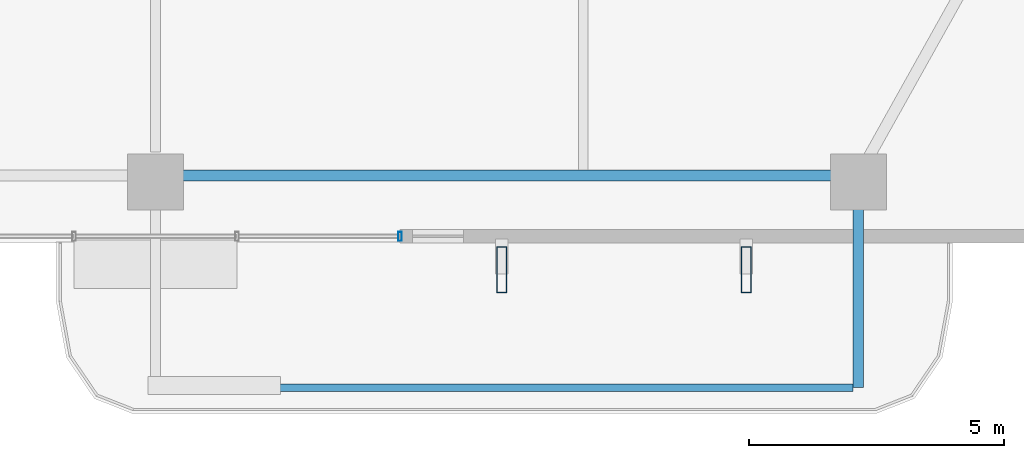
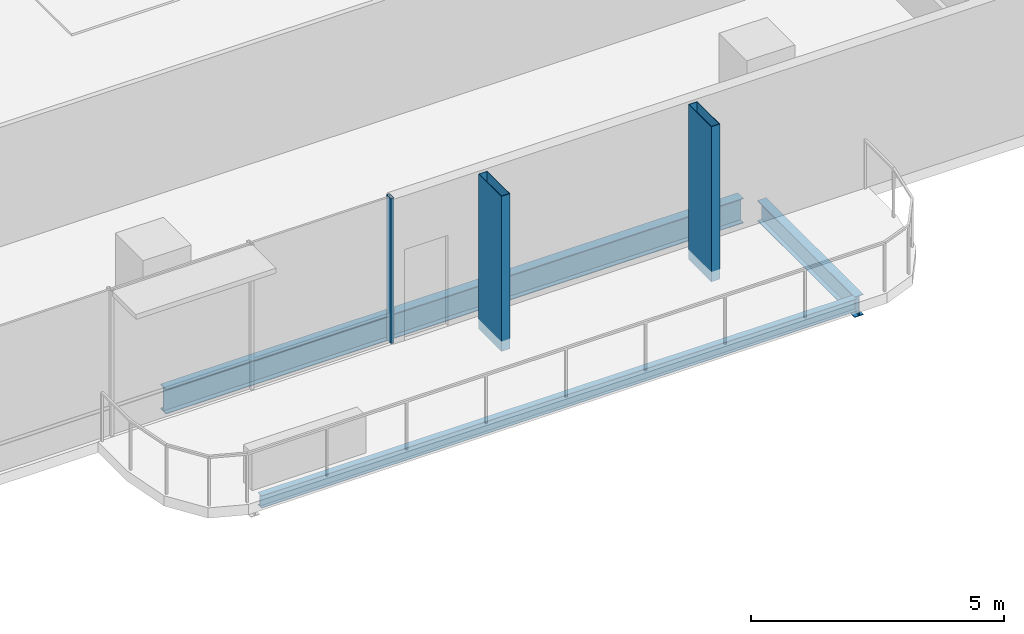
# One storey, part 7 of 29: 3 beams, 3 members, 1 element without a shape of its own.
"""IFC4 building model written with IfcOpenShell, lengths in metres."""

from ifc_helpers import new_model, si_unit, direction, frame, origin, origin_2d, place, context, subcontext, project, spatial, hollow_rectangle, i_section, extrude, material, layer, layer_set, material_profile, profile_set, type_object, element, aggregate, save


model = new_model("IFC4")

# Units and contexts
model_context = context("Model", 3, precision=1e-05, world=origin(), true_north=direction((0.0, 1.0)))
body_context = subcontext(model_context, "Body", "Model", "MODEL_VIEW")
ifc_project = project(units=[si_unit("LENGTHUNIT", "METRE"), si_unit("AREAUNIT", "SQUARE_METRE"), si_unit("VOLUMEUNIT", "CUBIC_METRE"), si_unit("PLANEANGLEUNIT", "RADIAN"), si_unit("MASSUNIT", "GRAM", prefix="KILO")], contexts=[model_context])

# Site, building, storey
site_placement = place(None, origin())
site = spatial("IfcSite", under=ifc_project, at=site_placement, CompositionType="ELEMENT")
building_placement = place(site_placement, origin())
building = spatial("IfcBuilding", under=site, at=building_placement, Name="Belovzor Exchange Tower", CompositionType="ELEMENT")
storey_placement = place(building_placement, frame((0.0, 0.0, 199.949951171875)))
storey = spatial("IfcBuildingStorey", under=building, at=storey_placement, Name="L49", CompositionType="ELEMENT", Elevation=199.949951171875)

# Beams
ifc_material_1 = material(Name="Steel S355", Category="steel")
ifc_material_profile_1 = material_profile(ifc_material_1, i_section(OverallWidth=0.199951171875, OverallDepth=0.5, WebThickness=0.01025390625, FlangeThickness=0.01611328125, at=origin_2d()))
ifc_profile_set_1 = profile_set([ifc_material_profile_1], Name="Steel S355")
beam_type_1 = type_object("IfcBeamType", Name="Planted Balcony Cantilever Beam IPE 500", PredefinedType="BEAM", material=ifc_profile_set_1)
beam_1_placement = place(storey_placement, frame((42.60009765625, 2.80810546875, -0.5), z_axis=(0.0, -1.0, 0.0), x_axis=(1.0, 0.0, 0.0)))
element("IfcBeam", 1, at=beam_1_placement, inside=storey, type_object=beam_type_1, Name="BC-500 Planted Balcony Cantilever Beam IPE 500", PredefinedType="BEAM", context=body_context, shape_type="SweptSolid", body=[
    extrude(i_section(OverallWidth=0.199951171875, OverallDepth=0.5, WebThickness=0.01025390625, FlangeThickness=0.01611328125, at=origin_2d()), origin(), (0.0, 0.0, 1.0), 3.85009765625),
])
ifc_material_2 = material(Name="Steel S355", Category="steel")
ifc_material_profile_2 = material_profile(ifc_material_2, i_section(OverallWidth=0.14990234375, OverallDepth=0.300048828125, WebThickness=0.007080078125, FlangeThickness=0.0107421875, at=origin_2d()))
ifc_profile_set_2 = profile_set([ifc_material_profile_2], Name="Steel S355")
beam_type_2 = type_object("IfcBeamType", Name="Planted Balcony Fascia Edge Beam IPE 300", PredefinedType="BEAM", material=ifc_profile_set_2)
beam_2_placement = place(storey_placement, frame((28.89990234375, -1.0419921875, -0.39990234375), z_axis=(1.0, 0.0, 0.0), x_axis=(0.0, 1.0, 0.0)))
element("IfcBeam", 2, at=beam_2_placement, inside=storey, type_object=beam_type_2, Name="BC-300 Planted Balcony Fascia Edge Beam IPE 300", PredefinedType="BEAM", context=body_context, shape_type="SweptSolid", body=[
    extrude(i_section(OverallWidth=0.14990234375, OverallDepth=0.300048828125, WebThickness=0.007080078125, FlangeThickness=0.0107421875, at=origin_2d()), origin(), (0.0, 0.0, 1.0), 13.60009765625),
])

# Members
ifc_material_3 = material(Name="Extruded Architectural Terracotta on Steel S355 Carrier", Category="masonry")
ifc_material_profile_3 = material_profile(ifc_material_3, hollow_rectangle(XDim=0.199951171875, YDim=0.89990234375, WallThickness=0.011962890625, at=origin_2d()))
ifc_profile_set_3 = profile_set([ifc_material_profile_3], Name="Extruded Architectural Terracotta on Steel S355 Carrier")
member_type_1 = type_object("IfcMemberType", Name="Sweeping Terracotta Baguette Fin Assembly 950", PredefinedType="USERDEFINED", material=ifc_profile_set_3)
for number, where, z_axis, x_axis, name in (
    (3, (35.60009765625, 1.27490234375, -0.25), (0.0, 0.0, 1.0), (1.0, 0.0, 0.0), "FIN-TC095 Terracotta Facade Fin L49 S3"),
    (4, (40.39990234375, 1.27490234375, -0.25), (0.0, 0.0, 1.0), (1.0, 0.0, 0.0), "FIN-TC095 Terracotta Facade Fin L49 S4"),
):
    element("IfcMember", number, at=place(storey_placement, frame(where, z_axis=z_axis, x_axis=x_axis)), inside=storey, type_object=member_type_1, Name=name, ObjectType="FIN", PredefinedType="USERDEFINED", context=body_context, shape_type="SweptSolid", body=[
        extrude(hollow_rectangle(XDim=0.199951171875, YDim=0.89990234375, WallThickness=0.011962890625, at=origin_2d()), origin(), (0.0, 0.0, 1.0), 3.75),
    ])

# Curtain wall, member
ifc_material_4 = material(Name="Anodised Aluminium Framing", Category="aluminium")
ifc_layer = layer(ifc_material_4, 0.179931640625)
ifc_layer_set = layer_set([ifc_layer], Name="Anodised Aluminium Framing")
curtain_wall_type = type_object("IfcCurtainWallType", Name="Recessed Loggia Low-Iron Triple-Glazed Curtain Wall", PredefinedType="NOTDEFINED", material=ifc_layer_set)
curtain_wall_placement = place(storey_placement, origin())
curtain_wall = element("IfcCurtainWall", 5, at=curtain_wall_placement, inside=storey, type_object=curtain_wall_type, Name="CW3 Recessed Loggia Low-Iron Triple-Glazed Curtain Wall L49", PredefinedType="NOTDEFINED")
ifc_material_5 = material(Name="Steel S355", Category="steel")
ifc_material_profile_4 = material_profile(ifc_material_5, hollow_rectangle(XDim=0.074951171875, YDim=0.179931640625, WallThickness=0.0048828125, at=origin_2d()))
ifc_profile_set_4 = profile_set([ifc_material_profile_4], Name="Steel S355")
member_type_2 = type_object("IfcMemberType", Name="Thermally Broken Curtain Wall Mullion 180x75", PredefinedType="MULLION", material=ifc_profile_set_4)
member_placement = place(storey_placement, frame((33.60009765625, 1.929931640625, 0.0), z_axis=(0.0, 0.0, 1.0), x_axis=(-1.0, 0.0, 0.0)))
member = element("IfcMember", 6, at=member_placement, type_object=member_type_2, Name="CW-M180 Curtain Wall Mullion 1", PredefinedType="MULLION", context=body_context, shape_type="SweptSolid", body=[
    extrude(hollow_rectangle(XDim=0.074951171875, YDim=0.179931640625, WallThickness=0.0048828125, at=origin_2d()), origin(), (0.0, 0.0, 1.0), 3.5),
])
aggregate(curtain_wall, [member])

# Beam
ifc_material_6 = material(Name="Steel S355", Category="steel")
ifc_material_profile_5 = material_profile(ifc_material_6, i_section(OverallWidth=0.219970703125, OverallDepth=0.60009765625, WebThickness=0.011962890625, FlangeThickness=0.01904296875, at=origin_2d()))
ifc_profile_set_5 = profile_set([ifc_material_profile_5], Name="Steel S355")
beam_type_3 = type_object("IfcBeamType", Name="Zone 4 Flare Primary Girder IPE 600", PredefinedType="BEAM", material=ifc_profile_set_5)
beam_3_placement = place(storey_placement, frame((29.10205078125, 3.1220703125, -0.550048828125), z_axis=(1.0, 0.0, 0.0), x_axis=(0.0, 1.0, 0.0)))
element("IfcBeam", 7, at=beam_3_placement, inside=storey, type_object=beam_type_3, Name="FG-Z4 Zone 4 Flare Primary Girder IPE 600", PredefinedType="BEAM", context=body_context, shape_type="SweptSolid", body=[
    extrude(i_section(OverallWidth=0.219970703125, OverallDepth=0.60009765625, WebThickness=0.011962890625, FlangeThickness=0.01904296875, at=origin_2d()), origin(), (0.0, 0.0, 1.0), 13.195068359375),
])

save(model, "model.ifc")
